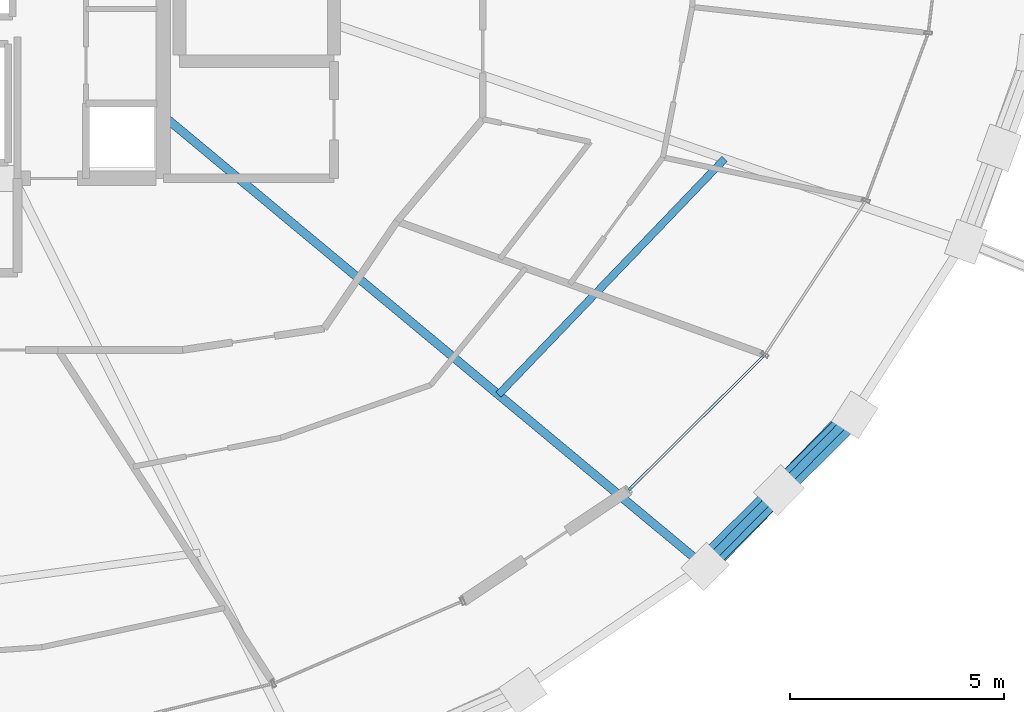
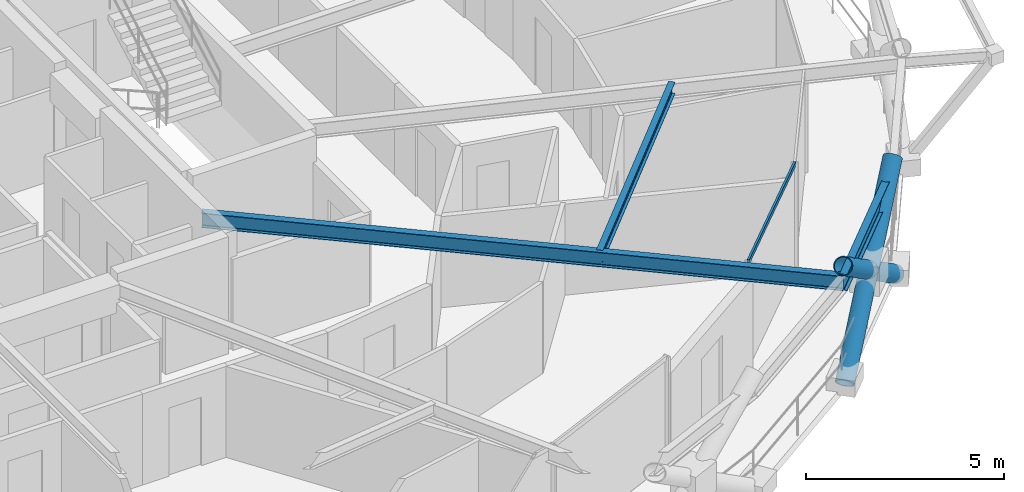
# One storey, part 7 of 20: 4 members, 3 beams, 1 element without a shape of its own.
"""IFC4 building model written with IfcOpenShell, lengths in metres."""

from ifc_helpers import new_model, si_unit, direction, frame, origin, origin_2d, place, context, subcontext, project, spatial, hollow_rectangle, hollow_circle, i_section, extrude, material, layer, layer_set, material_profile, profile_set, type_object, element, aggregate, save


model = new_model("IFC4")

# Units and contexts
model_context = context("Model", 3, precision=1e-05, world=origin(), true_north=direction((0.0, 1.0)))
body_context = subcontext(model_context, "Body", "Model", "MODEL_VIEW")
ifc_project = project(units=[si_unit("LENGTHUNIT", "METRE"), si_unit("AREAUNIT", "SQUARE_METRE"), si_unit("VOLUMEUNIT", "CUBIC_METRE"), si_unit("PLANEANGLEUNIT", "RADIAN"), si_unit("MASSUNIT", "GRAM", prefix="KILO")], contexts=[model_context])

# Site, building, storey
site_placement = place(None, origin())
site = spatial("IfcSite", under=ifc_project, at=site_placement, CompositionType="ELEMENT")
building_placement = place(site_placement, origin())
building = spatial("IfcBuilding", under=site, at=building_placement, Name="Veldorina Hangang Commons", CompositionType="ELEMENT")
storey_placement = place(building_placement, frame((0.0, 0.0, 171.199951171875)))
storey = spatial("IfcBuildingStorey", under=building, at=storey_placement, Name="L44", CompositionType="ELEMENT", Elevation=171.199951171875)

# Beams
ifc_material_1 = material(Name="Steel SM355-TMC", Category="steel")
ifc_material_profile_1 = material_profile(ifc_material_1, i_section(OverallWidth=0.199951171875, OverallDepth=0.449951171875, WebThickness=0.009033203125, FlangeThickness=0.013916015625, FilletRadius=0.01611328125, at=origin_2d()), Name="H-450x200x9x14")
ifc_profile_set_1 = profile_set([ifc_material_profile_1], Name="Steel SM355-TMC")
beam_type_1 = type_object("IfcBeamType", Name="BM-FG450", PredefinedType="BEAM", material=ifc_profile_set_1)
beam_1_placement = place(storey_placement, frame((39.199951171875, 18.0087890625, 3.125), z_axis=(0.768681197579, -0.639632094636, 0.0), x_axis=(0.639632094636, 0.768681197579, 0.0)))
element("IfcBeam", 1, at=beam_1_placement, inside=storey, type_object=beam_type_1, Name="L44 radial floor girder 15", PredefinedType="BEAM", context=body_context, shape_type="SweptSolid", body=[
    extrude(i_section(OverallWidth=0.199951171875, OverallDepth=0.449951171875, WebThickness=0.009033203125, FlangeThickness=0.013916015625, FilletRadius=0.01611328125, at=origin_2d()), origin(), (0.0, 0.0, 1.0), 16.396484375),
])
ifc_material_profile_2 = material_profile(ifc_material_1, i_section(OverallWidth=0.175048828125, OverallDepth=0.35009765625, WebThickness=0.007080078125, FlangeThickness=0.010986328125, FilletRadius=0.012939453125, at=origin_2d()), Name="H-350x175x7x11")
ifc_profile_set_2 = profile_set([ifc_material_profile_2], Name="Steel SM355-TMC")
beam_type_2 = type_object("IfcBeamType", Name="BM-JST350", PredefinedType="JOIST", material=ifc_profile_set_2)
beam_2_placement = place(storey_placement, frame((47.014404296875, 11.50634765625, 3.175048828125), z_axis=(0.692283743029, 0.72162540084, 0.0), x_axis=(-0.72162540084, 0.692283743029, 0.0)))
element("IfcBeam", 2, at=beam_2_placement, inside=storey, type_object=beam_type_2, Name="L44 secondary floor joist 15", PredefinedType="JOIST", context=body_context, shape_type="SweptSolid", body=[
    extrude(i_section(OverallWidth=0.175048828125, OverallDepth=0.35009765625, WebThickness=0.007080078125, FlangeThickness=0.010986328125, FilletRadius=0.012939453125, at=origin_2d()), origin(), (0.0, 0.0, 1.0), 7.62158203125),
])
ifc_material_2 = material(Name="Steel SM420-TMC", Category="steel")
ifc_material_profile_3 = material_profile(ifc_material_2, i_section(OverallWidth=0.199951171875, OverallDepth=0.5, WebThickness=0.010009765625, FlangeThickness=0.01611328125, FilletRadius=0.01611328125, at=origin_2d()), Name="H-500x200x10x16")
ifc_profile_set_3 = profile_set([ifc_material_profile_3], Name="Steel SM420-TMC")
beam_type_3 = type_object("IfcBeamType", Name="BM-RB500", PredefinedType="BEAM", material=ifc_profile_set_3)
beam_3_placement = place(storey_placement, frame((51.8037109375, 7.52099609375, 3.10009765625), z_axis=(0.702192292569, 0.711987348382, 0.0), x_axis=(-0.711987348382, 0.702192292569, 0.0)))
element("IfcBeam", 3, at=beam_3_placement, inside=storey, type_object=beam_type_3, Name="L44 perimeter hoop ring beam 28", PredefinedType="BEAM", context=body_context, shape_type="SweptSolid", body=[
    extrude(i_section(OverallWidth=0.199951171875, OverallDepth=0.5, WebThickness=0.010009765625, FlangeThickness=0.01611328125, FilletRadius=0.01611328125, at=origin_2d()), origin(), (0.0, 0.0, 1.0), 4.9599609375),
])

# Curtain wall, member
ifc_material_3 = material(Name="Glass Low-E Triple IGU", Category="glass")
ifc_layer = layer(ifc_material_3, 0.179931640625)
ifc_layer_set = layer_set([ifc_layer], Name="Glass Low-E Triple IGU")
curtain_wall_type = type_object("IfcCurtainWallType", Name="CW-SYS-Z2", PredefinedType="NOTDEFINED", material=ifc_layer_set)
curtain_wall_placement = place(storey_placement, origin())
curtain_wall = element("IfcCurtainWall", 4, at=curtain_wall_placement, inside=storey, type_object=curtain_wall_type, Name="L44 unitised curtain wall CW-L44-R2", PredefinedType="NOTDEFINED")
ifc_material_4 = material(Name="Aluminium Anodized AA6063-T6", Category="aluminium")
ifc_material_profile_4 = material_profile(ifc_material_4, hollow_rectangle(XDim=0.06005859375, YDim=0.139892578125, WallThickness=0.00341796875, at=origin_2d()), Name="ALU-RHS-140x60x3.5")
ifc_profile_set_4 = profile_set([ifc_material_profile_4], Name="Aluminium Anodized AA6063-T6")
member_type_1 = type_object("IfcMemberType", Name="CW-TRN-140", PredefinedType="USERDEFINED", material=ifc_profile_set_4)
member_1_placement = place(storey_placement, frame((50.05078125, 9.28271484375, 3.27001953125), z_axis=(0.709448806277, 0.704756973199, 0.0), x_axis=(-0.704756973199, 0.709448806277, 0.0)))
member_1 = element("IfcMember", 5, at=member_1_placement, type_object=member_type_1, Name="CW-L44-R2 facet 1 transom 1", ObjectType="TRANSOM", PredefinedType="USERDEFINED", context=body_context, shape_type="SweptSolid", body=[
    extrude(hollow_rectangle(XDim=0.06005859375, YDim=0.139892578125, WallThickness=0.00341796875, at=origin_2d()), origin(), (0.0, 0.0, 1.0), 4.47509765625),
])
aggregate(curtain_wall, [member_1])

# Members
ifc_material_profile_5 = material_profile(ifc_material_2, hollow_circle(Radius=0.25, WallThickness=0.02490234375, at=origin_2d()), Name="CHS-500x25")
ifc_profile_set_5 = profile_set([ifc_material_profile_5], Name="Steel SM420-TMC")
member_type_2 = type_object("IfcMemberType", Name="DG-CHS500", PredefinedType="BRACE", material=ifc_profile_set_5)
member_2_placement = place(storey_placement, frame((51.832763671875, 7.500732421875, 0.0), z_axis=(0.563207155526, 0.580553170299, 0.588009962857), x_axis=(-0.717748068823, 0.696302886466, 0.0)))
element("IfcMember", 6, at=member_2_placement, inside=storey, type_object=member_type_2, Name="L44 continuous perimeter diagrid brace 28", PredefinedType="BRACE", context=body_context, shape_type="SweptSolid", body=[
    extrude(hollow_circle(Radius=0.25, WallThickness=0.02490234375, at=origin_2d()), origin(), (0.0, 0.0, 1.0), 6.12255859375),
])
member_3_placement = place(storey_placement, frame((55.32080078125, 11.03662109375, 0.0), z_axis=(-0.573632823481, -0.571964131239, 0.586346669132), x_axis=(0.706076050699, -0.708136011391, 0.0)))
element("IfcMember", 7, at=member_3_placement, inside=storey, type_object=member_type_2, Name="L44 split perimeter diagrid lower brace 29", PredefinedType="BRACE", context=body_context, shape_type="SweptSolid", body=[
    extrude(hollow_circle(Radius=0.25, WallThickness=0.02490234375, at=origin_2d()), origin(), (0.0, 0.0, 1.0), 3.072509765625),
])
member_4_placement = place(storey_placement, frame((53.558349609375, 9.279296875, 1.801513671875), z_axis=(-0.573520980932, -0.57208837232, 0.586334869071), x_axis=(0.706221977076, -0.707990479523, 0.0)))
element("IfcMember", 8, at=member_4_placement, inside=storey, type_object=member_type_2, Name="L44 split perimeter diagrid upper brace 29", PredefinedType="BRACE", context=body_context, shape_type="SweptSolid", body=[
    extrude(hollow_circle(Radius=0.25, WallThickness=0.02490234375, at=origin_2d()), origin(), (0.0, 0.0, 1.0), 3.0673828125),
])

save(model, "model.ifc")
